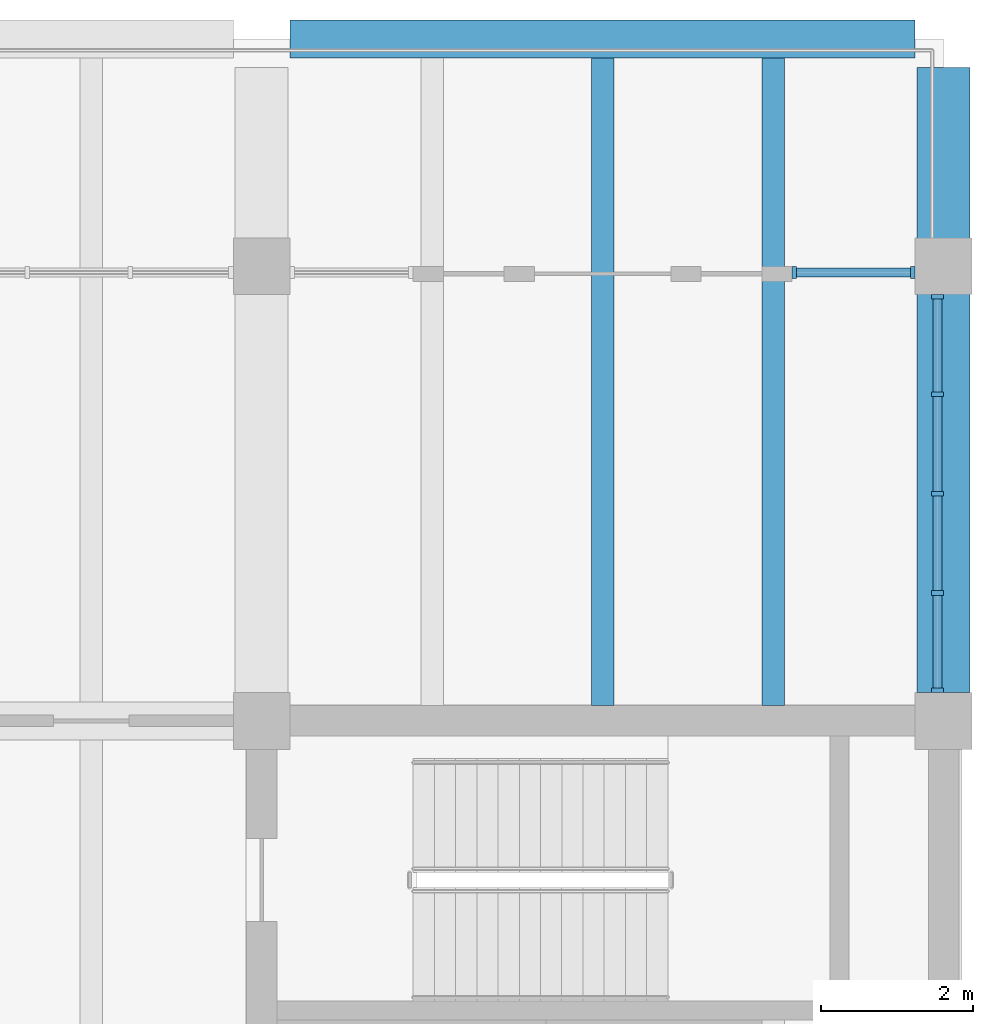
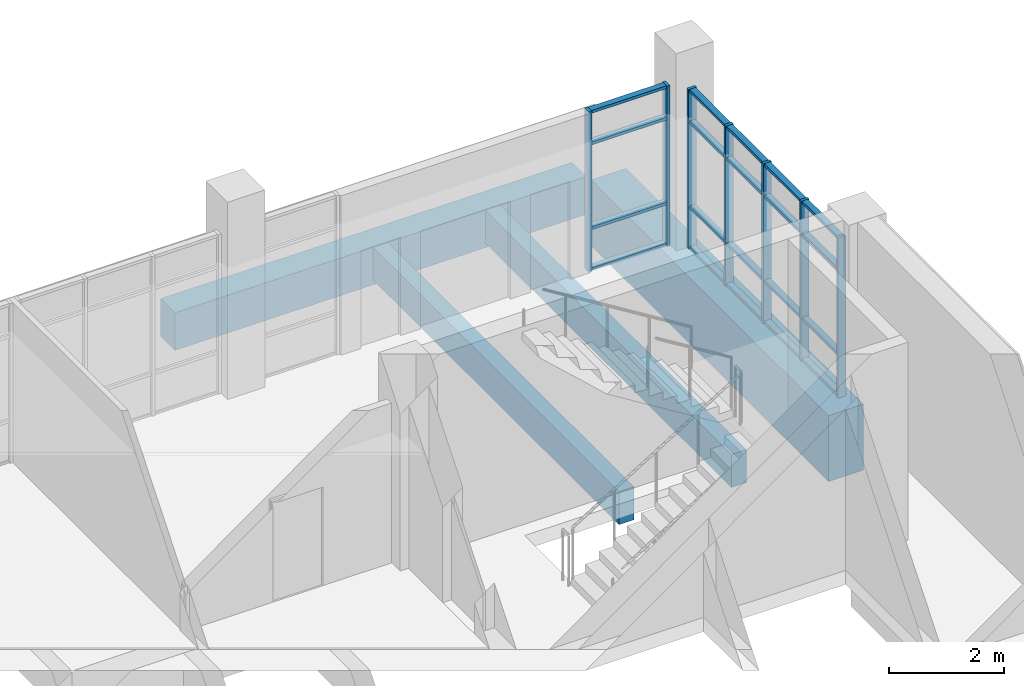
# One storey, part 6 of 15: 27 members, 4 beams, 2 elements without a shape of their own.
"""IFC4 building model written with IfcOpenShell, lengths in metres."""

from ifc_helpers import new_model, si_unit, direction, frame, origin, origin_2d, place, context, subcontext, project, spatial, rectangle, extrude, material, material_profile, profile_set, type_object, element, aggregate, save


model = new_model("IFC4")

# Units and contexts
model_context = context("Model", 3, precision=1e-05, world=origin(), true_north=direction((0.0, 1.0)))
body_context = subcontext(model_context, "Body", "Model", "MODEL_VIEW")
ifc_project = project(units=[si_unit("LENGTHUNIT", "METRE"), si_unit("AREAUNIT", "SQUARE_METRE"), si_unit("VOLUMEUNIT", "CUBIC_METRE"), si_unit("PLANEANGLEUNIT", "RADIAN"), si_unit("MASSUNIT", "GRAM", prefix="KILO")], contexts=[model_context])

# Site, building, storey
site_placement = place(None, origin())
site = spatial("IfcSite", under=ifc_project, at=site_placement, CompositionType="ELEMENT")
building_placement = place(site_placement, origin())
building = spatial("IfcBuilding", under=site, at=building_placement, Name="Merrow Basin Faculty of Sciences", CompositionType="ELEMENT")
storey_placement = place(building_placement, frame((0.0, 0.0, 31.5)))
storey = spatial("IfcBuildingStorey", under=building, at=storey_placement, Name="L07", CompositionType="ELEMENT", Elevation=31.5)

# Curtain wall, members
ifc_material_1 = material(Name="Aluminium alloy 6063", Category="aluminium")
curtain_wall_type = type_object("IfcCurtainWallType", Name="Unitised curtain wall 160", PredefinedType="NOTDEFINED", material=ifc_material_1)
curtain_wall_1_placement = place(storey_placement, origin())
curtain_wall_1 = element("IfcCurtainWall", 1, at=curtain_wall_1_placement, inside=storey, type_object=curtain_wall_type, Name="N curtain wall L07 7", PredefinedType="NOTDEFINED")
ifc_material_2 = material(Name="Aluminium alloy 6063", Category="aluminium")
ifc_material_profile_1 = material_profile(ifc_material_2, rectangle(XDim=0.159912109375, YDim=0.06005859375, at=origin_2d()))
ifc_profile_set_1 = profile_set([ifc_material_profile_1], Name="Aluminium alloy 6063")
member_type_1 = type_object("IfcMemberType", Name="Aluminium mullion 60x160", PredefinedType="MULLION", material=ifc_profile_set_1)
member_1_placement = place(storey_placement, frame((52.030029296875, 165.919921875, 0.0), z_axis=(0.0, 0.0, 1.0), x_axis=(0.0, 1.0, 0.0)))
member_1 = element("IfcMember", 2, at=member_1_placement, type_object=member_type_1, Name="CW3 mullion 1", PredefinedType="MULLION", context=body_context, shape_type="SweptSolid", body=[
    extrude(rectangle(XDim=0.159912109375, YDim=0.06005859375, at=origin_2d()), origin(), (0.0, 0.0, 1.0), 3.39990234375),
])
member_2_placement = place(storey_placement, frame((53.594970703125, 165.919921875, 0.0), z_axis=(0.0, 0.0, 1.0), x_axis=(0.0, 1.0, 0.0)))
member_2 = element("IfcMember", 3, at=member_2_placement, type_object=member_type_1, Name="CW3 mullion 2", PredefinedType="MULLION", context=body_context, shape_type="SweptSolid", body=[
    extrude(rectangle(XDim=0.159912109375, YDim=0.06005859375, at=origin_2d()), origin(), (0.0, 0.0, 1.0), 3.39990234375),
])

curtain_wall_2_placement = place(storey_placement, origin())
curtain_wall_2 = element("IfcCurtainWall", 4, at=curtain_wall_2_placement, inside=storey, type_object=curtain_wall_type, Name="E curtain wall L07 1", PredefinedType="NOTDEFINED")
member_3_placement = place(storey_placement, frame((53.919921875, 160.405029296875, 0.0), z_axis=(0.0, 0.0, 1.0), x_axis=(-1.0, 0.0, 0.0)))
member_3 = element("IfcMember", 5, at=member_3_placement, type_object=member_type_1, Name="CW3 mullion 1", PredefinedType="MULLION", context=body_context, shape_type="SweptSolid", body=[
    extrude(rectangle(XDim=0.159912109375, YDim=0.06005859375, at=origin_2d()), origin(), (0.0, 0.0, 1.0), 3.39990234375),
])
member_4_placement = place(storey_placement, frame((53.919921875, 161.6875, 0.0), z_axis=(0.0, 0.0, 1.0), x_axis=(-1.0, 0.0, 0.0)))
member_4 = element("IfcMember", 6, at=member_4_placement, type_object=member_type_1, Name="CW3 mullion 2", PredefinedType="MULLION", context=body_context, shape_type="SweptSolid", body=[
    extrude(rectangle(XDim=0.159912109375, YDim=0.06005859375, at=origin_2d()), origin(), (0.0, 0.0, 1.0), 3.39990234375),
])
member_5_placement = place(storey_placement, frame((53.919921875, 163.0, 0.0), z_axis=(0.0, 0.0, 1.0), x_axis=(-1.0, 0.0, 0.0)))
member_5 = element("IfcMember", 7, at=member_5_placement, type_object=member_type_1, Name="CW3 mullion 3", PredefinedType="MULLION", context=body_context, shape_type="SweptSolid", body=[
    extrude(rectangle(XDim=0.159912109375, YDim=0.06005859375, at=origin_2d()), origin(), (0.0, 0.0, 1.0), 3.39990234375),
])
member_6_placement = place(storey_placement, frame((53.919921875, 164.3125, 0.0), z_axis=(0.0, 0.0, 1.0), x_axis=(-1.0, 0.0, 0.0)))
member_6 = element("IfcMember", 8, at=member_6_placement, type_object=member_type_1, Name="CW3 mullion 4", PredefinedType="MULLION", context=body_context, shape_type="SweptSolid", body=[
    extrude(rectangle(XDim=0.159912109375, YDim=0.06005859375, at=origin_2d()), origin(), (0.0, 0.0, 1.0), 3.39990234375),
])
member_7_placement = place(storey_placement, frame((53.919921875, 165.594970703125, 0.0), z_axis=(0.0, 0.0, 1.0), x_axis=(-1.0, 0.0, 0.0)))
member_7 = element("IfcMember", 9, at=member_7_placement, type_object=member_type_1, Name="CW3 mullion 5", PredefinedType="MULLION", context=body_context, shape_type="SweptSolid", body=[
    extrude(rectangle(XDim=0.159912109375, YDim=0.06005859375, at=origin_2d()), origin(), (0.0, 0.0, 1.0), 3.39990234375),
])

# Member
ifc_material_3 = material(Name="Aluminium alloy 6063", Category="aluminium")
ifc_material_profile_2 = material_profile(ifc_material_3, rectangle(XDim=0.1201171875, YDim=0.06005859375, at=origin_2d()))
ifc_profile_set_2 = profile_set([ifc_material_profile_2], Name="Aluminium alloy 6063")
member_type_2 = type_object("IfcMemberType", Name="Aluminium transom 60x120", PredefinedType="USERDEFINED", material=ifc_profile_set_2)
member_8_placement = place(storey_placement, frame((52.06005859375, 165.919921875, 0.030029296875), z_axis=(1.0, 0.0, 0.0), x_axis=(0.0, 1.0, 0.0)))
member_8 = element("IfcMember", 10, at=member_8_placement, type_object=member_type_2, Name="CW3 transom 1.1", ObjectType="TRANSOM", PredefinedType="USERDEFINED", context=body_context, shape_type="SweptSolid", body=[
    extrude(rectangle(XDim=0.1201171875, YDim=0.06005859375, at=origin_2d()), origin(), (0.0, 0.0, 1.0), 1.5048828125),
])

member_9_placement = place(storey_placement, frame((52.06005859375, 165.919921875, 0.89990234375), z_axis=(1.0, 0.0, 0.0), x_axis=(0.0, 1.0, 0.0)))
member_9 = element("IfcMember", 11, at=member_9_placement, type_object=member_type_2, Name="CW3 transom 1.2", ObjectType="TRANSOM", PredefinedType="USERDEFINED", context=body_context, shape_type="SweptSolid", body=[
    extrude(rectangle(XDim=0.1201171875, YDim=0.06005859375, at=origin_2d()), origin(), (0.0, 0.0, 1.0), 1.5048828125),
])

member_10_placement = place(storey_placement, frame((52.06005859375, 165.919921875, 2.699951171875), z_axis=(1.0, 0.0, 0.0), x_axis=(0.0, 1.0, 0.0)))
member_10 = element("IfcMember", 12, at=member_10_placement, type_object=member_type_2, Name="CW3 transom 1.3", ObjectType="TRANSOM", PredefinedType="USERDEFINED", context=body_context, shape_type="SweptSolid", body=[
    extrude(rectangle(XDim=0.1201171875, YDim=0.06005859375, at=origin_2d()), origin(), (0.0, 0.0, 1.0), 1.5048828125),
])

member_11_placement = place(storey_placement, frame((52.06005859375, 165.919921875, 3.3701171875), z_axis=(1.0, 0.0, 0.0), x_axis=(0.0, 1.0, 0.0)))
member_11 = element("IfcMember", 13, at=member_11_placement, type_object=member_type_2, Name="CW3 transom 1.4", ObjectType="TRANSOM", PredefinedType="USERDEFINED", context=body_context, shape_type="SweptSolid", body=[
    extrude(rectangle(XDim=0.1201171875, YDim=0.06005859375, at=origin_2d()), origin(), (0.0, 0.0, 1.0), 1.5048828125),
])

aggregate(curtain_wall_1, [member_1, member_2, member_8, member_9, member_10, member_11])

member_12_placement = place(storey_placement, frame((53.919921875, 160.43505859375, 0.030029296875), z_axis=(0.0, 1.0, 0.0), x_axis=(-1.0, 0.0, 0.0)))
member_12 = element("IfcMember", 14, at=member_12_placement, type_object=member_type_2, Name="CW3 transom 1.1", ObjectType="TRANSOM", PredefinedType="USERDEFINED", context=body_context, shape_type="SweptSolid", body=[
    extrude(rectangle(XDim=0.1201171875, YDim=0.06005859375, at=origin_2d()), origin(), (0.0, 0.0, 1.0), 1.222412109375),
])

member_13_placement = place(storey_placement, frame((53.919921875, 160.43505859375, 0.89990234375), z_axis=(0.0, 1.0, 0.0), x_axis=(-1.0, 0.0, 0.0)))
member_13 = element("IfcMember", 15, at=member_13_placement, type_object=member_type_2, Name="CW3 transom 1.2", ObjectType="TRANSOM", PredefinedType="USERDEFINED", context=body_context, shape_type="SweptSolid", body=[
    extrude(rectangle(XDim=0.1201171875, YDim=0.06005859375, at=origin_2d()), origin(), (0.0, 0.0, 1.0), 1.222412109375),
])

member_14_placement = place(storey_placement, frame((53.919921875, 160.43505859375, 2.699951171875), z_axis=(0.0, 1.0, 0.0), x_axis=(-1.0, 0.0, 0.0)))
member_14 = element("IfcMember", 16, at=member_14_placement, type_object=member_type_2, Name="CW3 transom 1.3", ObjectType="TRANSOM", PredefinedType="USERDEFINED", context=body_context, shape_type="SweptSolid", body=[
    extrude(rectangle(XDim=0.1201171875, YDim=0.06005859375, at=origin_2d()), origin(), (0.0, 0.0, 1.0), 1.222412109375),
])

member_15_placement = place(storey_placement, frame((53.919921875, 160.43505859375, 3.3701171875), z_axis=(0.0, 1.0, 0.0), x_axis=(-1.0, 0.0, 0.0)))
member_15 = element("IfcMember", 17, at=member_15_placement, type_object=member_type_2, Name="CW3 transom 1.4", ObjectType="TRANSOM", PredefinedType="USERDEFINED", context=body_context, shape_type="SweptSolid", body=[
    extrude(rectangle(XDim=0.1201171875, YDim=0.06005859375, at=origin_2d()), origin(), (0.0, 0.0, 1.0), 1.222412109375),
])

member_16_placement = place(storey_placement, frame((53.919921875, 161.717529296875, 0.030029296875), z_axis=(0.0, 1.0, 0.0), x_axis=(-1.0, 0.0, 0.0)))
member_16 = element("IfcMember", 18, at=member_16_placement, type_object=member_type_2, Name="CW3 transom 2.1", ObjectType="TRANSOM", PredefinedType="USERDEFINED", context=body_context, shape_type="SweptSolid", body=[
    extrude(rectangle(XDim=0.1201171875, YDim=0.06005859375, at=origin_2d()), origin(), (0.0, 0.0, 1.0), 1.25244140625),
])

member_17_placement = place(storey_placement, frame((53.919921875, 161.717529296875, 0.89990234375), z_axis=(0.0, 1.0, 0.0), x_axis=(-1.0, 0.0, 0.0)))
member_17 = element("IfcMember", 19, at=member_17_placement, type_object=member_type_2, Name="CW3 transom 2.2", ObjectType="TRANSOM", PredefinedType="USERDEFINED", context=body_context, shape_type="SweptSolid", body=[
    extrude(rectangle(XDim=0.1201171875, YDim=0.06005859375, at=origin_2d()), origin(), (0.0, 0.0, 1.0), 1.25244140625),
])

member_18_placement = place(storey_placement, frame((53.919921875, 161.717529296875, 2.699951171875), z_axis=(0.0, 1.0, 0.0), x_axis=(-1.0, 0.0, 0.0)))
member_18 = element("IfcMember", 20, at=member_18_placement, type_object=member_type_2, Name="CW3 transom 2.3", ObjectType="TRANSOM", PredefinedType="USERDEFINED", context=body_context, shape_type="SweptSolid", body=[
    extrude(rectangle(XDim=0.1201171875, YDim=0.06005859375, at=origin_2d()), origin(), (0.0, 0.0, 1.0), 1.25244140625),
])

member_19_placement = place(storey_placement, frame((53.919921875, 161.717529296875, 3.3701171875), z_axis=(0.0, 1.0, 0.0), x_axis=(-1.0, 0.0, 0.0)))
member_19 = element("IfcMember", 21, at=member_19_placement, type_object=member_type_2, Name="CW3 transom 2.4", ObjectType="TRANSOM", PredefinedType="USERDEFINED", context=body_context, shape_type="SweptSolid", body=[
    extrude(rectangle(XDim=0.1201171875, YDim=0.06005859375, at=origin_2d()), origin(), (0.0, 0.0, 1.0), 1.25244140625),
])

member_20_placement = place(storey_placement, frame((53.919921875, 163.030029296875, 0.030029296875), z_axis=(0.0, 1.0, 0.0), x_axis=(-1.0, 0.0, 0.0)))
member_20 = element("IfcMember", 22, at=member_20_placement, type_object=member_type_2, Name="CW3 transom 3.1", ObjectType="TRANSOM", PredefinedType="USERDEFINED", context=body_context, shape_type="SweptSolid", body=[
    extrude(rectangle(XDim=0.1201171875, YDim=0.06005859375, at=origin_2d()), origin(), (0.0, 0.0, 1.0), 1.25244140625),
])

member_21_placement = place(storey_placement, frame((53.919921875, 163.030029296875, 0.89990234375), z_axis=(0.0, 1.0, 0.0), x_axis=(-1.0, 0.0, 0.0)))
member_21 = element("IfcMember", 23, at=member_21_placement, type_object=member_type_2, Name="CW3 transom 3.2", ObjectType="TRANSOM", PredefinedType="USERDEFINED", context=body_context, shape_type="SweptSolid", body=[
    extrude(rectangle(XDim=0.1201171875, YDim=0.06005859375, at=origin_2d()), origin(), (0.0, 0.0, 1.0), 1.25244140625),
])

member_22_placement = place(storey_placement, frame((53.919921875, 163.030029296875, 2.699951171875), z_axis=(0.0, 1.0, 0.0), x_axis=(-1.0, 0.0, 0.0)))
member_22 = element("IfcMember", 24, at=member_22_placement, type_object=member_type_2, Name="CW3 transom 3.3", ObjectType="TRANSOM", PredefinedType="USERDEFINED", context=body_context, shape_type="SweptSolid", body=[
    extrude(rectangle(XDim=0.1201171875, YDim=0.06005859375, at=origin_2d()), origin(), (0.0, 0.0, 1.0), 1.25244140625),
])

member_23_placement = place(storey_placement, frame((53.919921875, 163.030029296875, 3.3701171875), z_axis=(0.0, 1.0, 0.0), x_axis=(-1.0, 0.0, 0.0)))
member_23 = element("IfcMember", 25, at=member_23_placement, type_object=member_type_2, Name="CW3 transom 3.4", ObjectType="TRANSOM", PredefinedType="USERDEFINED", context=body_context, shape_type="SweptSolid", body=[
    extrude(rectangle(XDim=0.1201171875, YDim=0.06005859375, at=origin_2d()), origin(), (0.0, 0.0, 1.0), 1.25244140625),
])

member_24_placement = place(storey_placement, frame((53.919921875, 164.342529296875, 0.030029296875), z_axis=(0.0, 1.0, 0.0), x_axis=(-1.0, 0.0, 0.0)))
member_24 = element("IfcMember", 26, at=member_24_placement, type_object=member_type_2, Name="CW3 transom 4.1", ObjectType="TRANSOM", PredefinedType="USERDEFINED", context=body_context, shape_type="SweptSolid", body=[
    extrude(rectangle(XDim=0.1201171875, YDim=0.06005859375, at=origin_2d()), origin(), (0.0, 0.0, 1.0), 1.222412109375),
])

member_25_placement = place(storey_placement, frame((53.919921875, 164.342529296875, 0.89990234375), z_axis=(0.0, 1.0, 0.0), x_axis=(-1.0, 0.0, 0.0)))
member_25 = element("IfcMember", 27, at=member_25_placement, type_object=member_type_2, Name="CW3 transom 4.2", ObjectType="TRANSOM", PredefinedType="USERDEFINED", context=body_context, shape_type="SweptSolid", body=[
    extrude(rectangle(XDim=0.1201171875, YDim=0.06005859375, at=origin_2d()), origin(), (0.0, 0.0, 1.0), 1.222412109375),
])

member_26_placement = place(storey_placement, frame((53.919921875, 164.342529296875, 2.699951171875), z_axis=(0.0, 1.0, 0.0), x_axis=(-1.0, 0.0, 0.0)))
member_26 = element("IfcMember", 28, at=member_26_placement, type_object=member_type_2, Name="CW3 transom 4.3", ObjectType="TRANSOM", PredefinedType="USERDEFINED", context=body_context, shape_type="SweptSolid", body=[
    extrude(rectangle(XDim=0.1201171875, YDim=0.06005859375, at=origin_2d()), origin(), (0.0, 0.0, 1.0), 1.222412109375),
])

member_27_placement = place(storey_placement, frame((53.919921875, 164.342529296875, 3.3701171875), z_axis=(0.0, 1.0, 0.0), x_axis=(-1.0, 0.0, 0.0)))
member_27 = element("IfcMember", 29, at=member_27_placement, type_object=member_type_2, Name="CW3 transom 4.4", ObjectType="TRANSOM", PredefinedType="USERDEFINED", context=body_context, shape_type="SweptSolid", body=[
    extrude(rectangle(XDim=0.1201171875, YDim=0.06005859375, at=origin_2d()), origin(), (0.0, 0.0, 1.0), 1.222412109375),
])

aggregate(curtain_wall_2, [member_3, member_4, member_5, member_6, member_7, member_12, member_13, member_14, member_15, member_16, member_17, member_18, member_19, member_20, member_21, member_22, member_23, member_24, member_25, member_26, member_27])

# Beams
ifc_material_4 = material(Name="Concrete C40/50", Category="concrete")
ifc_material_profile_3 = material_profile(ifc_material_4, rectangle(XDim=0.5, YDim=0.800048828125, at=origin_2d()))
ifc_profile_set_3 = profile_set([ifc_material_profile_3], Name="Concrete C40/50")
beam_type_1 = type_object("IfcBeamType", Name="Beam RC500x800 C40/50", PredefinedType="BEAM", material=ifc_profile_set_3)
beam_1_placement = place(storey_placement, frame((45.375, 169.0, -0.699951171875), z_axis=(1.0, 0.0, 0.0), x_axis=(0.0, 1.0, 0.0)))
element("IfcBeam", 30, at=beam_1_placement, inside=storey, type_object=beam_type_1, Name="B4 L07 012", PredefinedType="BEAM", context=body_context, shape_type="SweptSolid", body=[
    extrude(rectangle(XDim=0.5, YDim=0.800048828125, at=origin_2d()), origin(), (0.0, 0.0, 1.0), 8.25),
])
ifc_material_5 = material(Name="Concrete C40/50", Category="concrete")
ifc_material_profile_4 = material_profile(ifc_material_5, rectangle(XDim=0.699951171875, YDim=1.39990234375, at=origin_2d()))
ifc_profile_set_4 = profile_set([ifc_material_profile_4], Name="Concrete C40/50")
beam_type_2 = type_object("IfcBeamType", Name="Beam RC700x1400 C40/50", PredefinedType="BEAM", material=ifc_profile_set_4)
beam_2_placement = place(storey_placement, frame((54.0, 160.375, -1.0), z_axis=(0.0, 1.0, 0.0), x_axis=(-1.0, 0.0, 0.0)))
element("IfcBeam", 31, at=beam_2_placement, inside=storey, type_object=beam_type_2, Name="B5 L07 021", PredefinedType="BEAM", context=body_context, shape_type="SweptSolid", body=[
    extrude(rectangle(XDim=0.699951171875, YDim=1.39990234375, at=origin_2d()), origin(), (0.0, 0.0, 1.0), 8.25),
])
ifc_material_6 = material(Name="Concrete C40/50", Category="concrete")
ifc_material_profile_5 = material_profile(ifc_material_6, rectangle(XDim=0.300048828125, YDim=0.699951171875, at=origin_2d()))
ifc_profile_set_5 = profile_set([ifc_material_profile_5], Name="Concrete C40/50")
beam_type_3 = type_object("IfcBeamType", Name="Terrace joist RC300x700 C40/50", PredefinedType="BEAM", material=ifc_profile_set_5)
for number, where, z_axis, x_axis, name in (
    (32, (49.5, 160.199951171875, -0.64990234375), (0.0, 1.0, 0.0), (-1.0, 0.0, 0.0), "JX1 L07 057"),
    (33, (51.75, 160.199951171875, -0.64990234375), (0.0, 1.0, 0.0), (-1.0, 0.0, 0.0), "JX1 L07 058"),
):
    element("IfcBeam", number, at=place(storey_placement, frame(where, z_axis=z_axis, x_axis=x_axis)), inside=storey, type_object=beam_type_3, Name=name, PredefinedType="BEAM", context=body_context, shape_type="SweptSolid", body=[
        extrude(rectangle(XDim=0.300048828125, YDim=0.699951171875, at=origin_2d()), origin(), (0.0, 0.0, 1.0), 8.550048828125),
    ])

save(model, "model.ifc")
